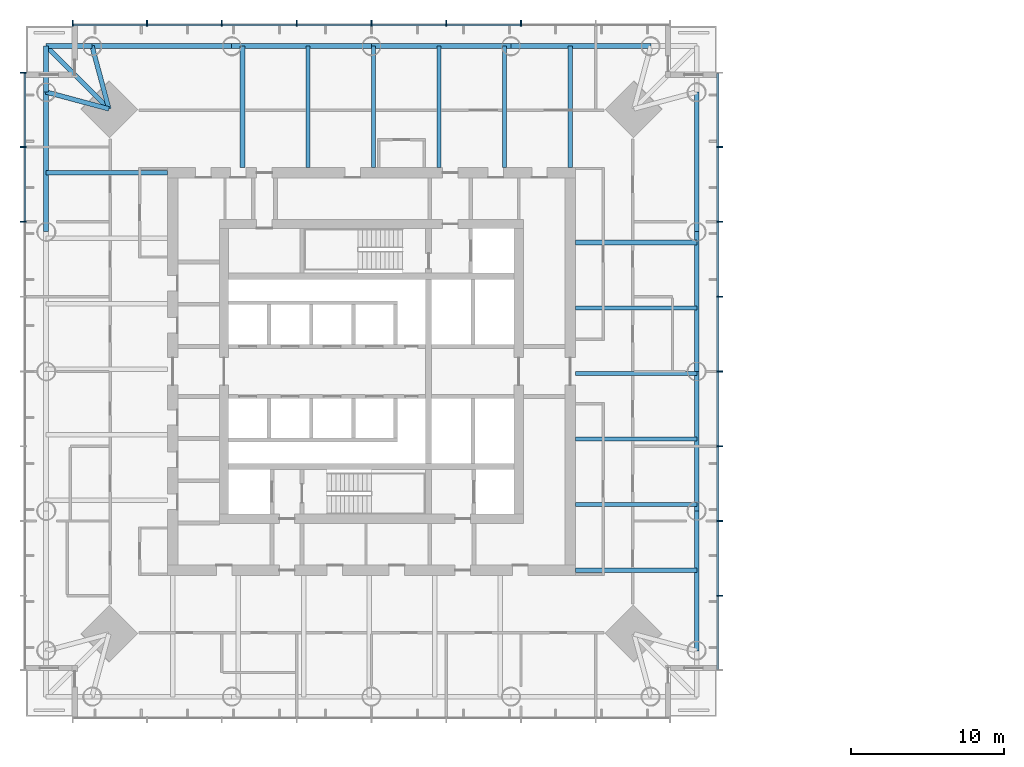
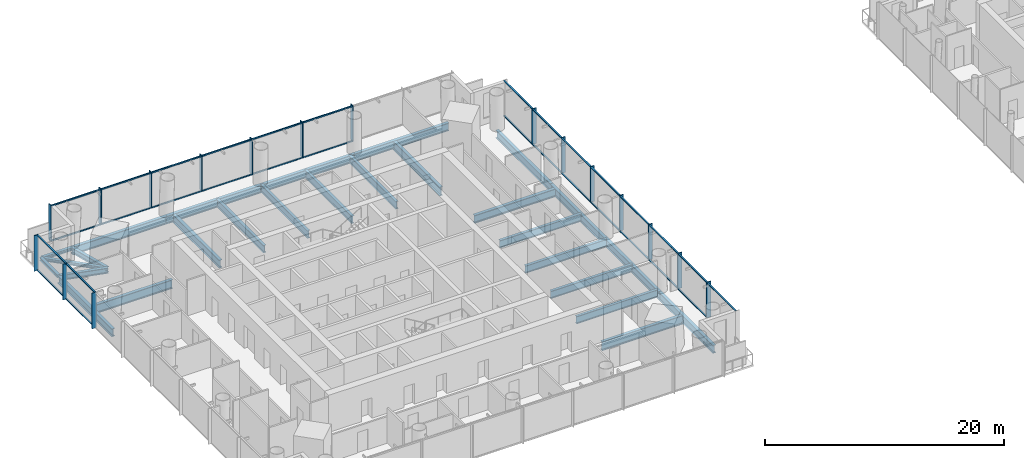
# One storey, part 3 of 20: 48 members, 27 beams, 3 elements without a shape of their own.
"""IFC4 building model written with IfcOpenShell, lengths in metres."""

from ifc_helpers import new_model, si_unit, direction, frame, origin, origin_2d, place, context, subcontext, project, spatial, rectangle, i_section, extrude, material, material_profile, profile_set, type_object, element, aggregate, save


model = new_model("IFC4")

# Units and contexts
model_context = context("Model", 3, precision=1e-05, world=origin(), true_north=direction((0.0, 1.0)))
body_context = subcontext(model_context, "Body", "Model", "MODEL_VIEW")
ifc_project = project(units=[si_unit("LENGTHUNIT", "METRE"), si_unit("AREAUNIT", "SQUARE_METRE"), si_unit("VOLUMEUNIT", "CUBIC_METRE"), si_unit("PLANEANGLEUNIT", "RADIAN"), si_unit("MASSUNIT", "GRAM", prefix="KILO")], contexts=[model_context])

# Site, building, storey
site_placement = place(None, origin())
site = spatial("IfcSite", under=ifc_project, at=site_placement, CompositionType="ELEMENT")
building_placement = place(site_placement, origin())
building = spatial("IfcBuilding", under=site, at=building_placement, Name="Ostroluk Exchange", CompositionType="ELEMENT")
storey_placement = place(building_placement, frame((0.0, 0.0, 108.39990234375)))
storey = spatial("IfcBuildingStorey", under=building, at=storey_placement, Name="L27", CompositionType="ELEMENT", Elevation=108.39990234375)

# Beams
ifc_material_1 = material(Name="Steel S355", Category="steel")
ifc_material_profile_1 = material_profile(ifc_material_1, i_section(OverallWidth=0.300048828125, OverallDepth=0.300048828125, WebThickness=0.010986328125, FlangeThickness=0.01904296875, FilletRadius=0.027099609375, at=origin_2d()), Name="HEB 300")
ifc_profile_set_1 = profile_set([ifc_material_profile_1], Name="Steel S355")
beam_type_1 = type_object("IfcBeamType", Name="Balcony beam HEB 300", PredefinedType="BEAM", material=ifc_profile_set_1)
for number, where, z_axis, x_axis, name in (
    (1, (26.79296875, 67.20703125, -0.329833984375), (-1.0, 0.0, 0.0), (0.0, -1.0, 0.0), "T1 north balcony beam a"),
    (2, (23.79296875, 64.20703125, -0.329833984375), (0.0, 1.0, 0.0), (-1.0, 0.0, 0.0), "T1 north balcony beam b"),
):
    element("IfcBeam", number, at=place(storey_placement, frame(where, z_axis=z_axis, x_axis=x_axis)), inside=storey, type_object=beam_type_1, Name=name, PredefinedType="BEAM", context=body_context, shape_type="SweptSolid", body=[
        extrude(i_section(OverallWidth=0.300048828125, OverallDepth=0.300048828125, WebThickness=0.010986328125, FlangeThickness=0.01904296875, FilletRadius=0.027099609375, at=origin_2d()), origin(), (0.0, 0.0, 1.0), 3.0),
    ])
beam_placement = place(storey_placement, frame((27.892822265625, 63.107177734375, -0.329833984375), z_axis=(-0.707106781187, 0.707106781187, 0.0), x_axis=(-0.707106781187, -0.707106781187, 0.0)))
element("IfcBeam", 3, at=beam_placement, inside=storey, type_object=beam_type_1, Name="T1 north balcony beam c", PredefinedType="BEAM", context=body_context, shape_type="SweptSolid", body=[
    extrude(i_section(OverallWidth=0.300048828125, OverallDepth=0.300048828125, WebThickness=0.010986328125, FlangeThickness=0.01904296875, FilletRadius=0.027099609375, at=origin_2d()), origin(), (0.0, 0.0, 1.0), 5.798095703125),
])
ifc_material_2 = material(Name="Steel S355", Category="steel")
ifc_material_profile_2 = material_profile(ifc_material_2, i_section(OverallWidth=0.300048828125, OverallDepth=0.550048828125, WebThickness=0.014892578125, FlangeThickness=0.029052734375, FilletRadius=0.027099609375, at=origin_2d()), Name="HEB 550")
ifc_profile_set_2 = profile_set([ifc_material_profile_2], Name="Steel S355")
beam_type_2 = type_object("IfcBeamType", Name="Corner edge beam HEB 550", PredefinedType="SPANDREL", material=ifc_profile_set_2)
for number, where, z_axis, x_axis, name in (
    (4, (27.892822265625, 63.107177734375, -0.454833984375), (-0.259105011038, 0.965849156574, 0.0), (-0.965849156574, -0.259105011038, 0.0), "T1 north corner edge beam a"),
    (5, (27.892822265625, 63.107177734375, -0.454833984375), (-0.965849156574, 0.259105011038, 0.0), (-0.259105011038, -0.965849156574, 0.0), "T1 north corner edge beam b"),
):
    element("IfcBeam", number, at=place(storey_placement, frame(where, z_axis=z_axis, x_axis=x_axis)), inside=storey, type_object=beam_type_2, Name=name, PredefinedType="SPANDREL", context=body_context, shape_type="SweptSolid", body=[
        extrude(i_section(OverallWidth=0.300048828125, OverallDepth=0.550048828125, WebThickness=0.014892578125, FlangeThickness=0.029052734375, FilletRadius=0.027099609375, at=origin_2d()), origin(), (0.0, 0.0, 1.0), 4.244873046875),
    ])
ifc_material_3 = material(Name="Steel S355", Category="steel")
ifc_material_profile_3 = material_profile(ifc_material_3, i_section(OverallWidth=0.302978515625, OverallDepth=0.81396484375, WebThickness=0.02099609375, FlangeThickness=0.0400390625, FilletRadius=0.030029296875, at=origin_2d()), Name="HEM 800")
ifc_profile_set_3 = profile_set([ifc_material_profile_3], Name="Steel S355")
beam_type_3 = type_object("IfcBeamType", Name="Floor beam HEM 800", PredefinedType="BEAM", material=ifc_profile_set_3)
for number, where, z_axis, x_axis, name in (
    (6, (58.300048828125, 54.398193359375, -0.5869140625), (1.0, 0.0, 0.0), (0.0, 1.0, 0.0), "T1 east floor beam 5"),
    (7, (36.601806640625, 59.300048828125, -0.5869140625), (0.0, 1.0, 0.0), (-1.0, 0.0, 0.0), "T1 north floor beam 5"),
):
    element("IfcBeam", number, at=place(storey_placement, frame(where, z_axis=z_axis, x_axis=x_axis)), inside=storey, type_object=beam_type_3, Name=name, PredefinedType="BEAM", context=body_context, shape_type="SweptSolid", body=[
        extrude(i_section(OverallWidth=0.302978515625, OverallDepth=0.81396484375, WebThickness=0.02099609375, FlangeThickness=0.0400390625, FilletRadius=0.030029296875, at=origin_2d()), origin(), (0.0, 0.0, 1.0), 7.906982421875),
    ])
ifc_material_4 = material(Name="Steel S355", Category="steel")
ifc_material_profile_4 = material_profile(ifc_material_4, i_section(OverallWidth=0.26708984375, OverallDepth=0.761962890625, WebThickness=0.014404296875, FlangeThickness=0.021484375, FilletRadius=0.01708984375, at=origin_2d()), Name="IPE 750x173")
ifc_profile_set_4 = profile_set([ifc_material_profile_4], Name="Steel S355")
beam_type_4 = type_object("IfcBeamType", Name="Floor beam IPE 750x173", PredefinedType="BEAM", material=ifc_profile_set_4)
for number, where, z_axis, x_axis, name in (
    (8, (58.300048828125, 37.319580078125, -0.560791015625), (1.0, 0.0, 0.0), (0.0, 1.0, 0.0), "T1 east floor beam 1"),
    (9, (58.300048828125, 41.58935546875, -0.560791015625), (1.0, 0.0, 0.0), (0.0, 1.0, 0.0), "T1 east floor beam 2"),
    (10, (58.300048828125, 45.85888671875, -0.560791015625), (1.0, 0.0, 0.0), (0.0, 1.0, 0.0), "T1 east floor beam 3"),
    (11, (58.300048828125, 50.128662109375, -0.560791015625), (1.0, 0.0, 0.0), (0.0, 1.0, 0.0), "T1 east floor beam 4"),
    (12, (53.680419921875, 59.300048828125, -0.560791015625), (0.0, 1.0, 0.0), (-1.0, 0.0, 0.0), "T1 north floor beam 1"),
    (13, (49.41064453125, 59.300048828125, -0.560791015625), (0.0, 1.0, 0.0), (-1.0, 0.0, 0.0), "T1 north floor beam 2"),
    (14, (45.14111328125, 59.300048828125, -0.560791015625), (0.0, 1.0, 0.0), (-1.0, 0.0, 0.0), "T1 north floor beam 3"),
    (15, (40.871337890625, 59.300048828125, -0.560791015625), (0.0, 1.0, 0.0), (-1.0, 0.0, 0.0), "T1 north floor beam 4"),
):
    element("IfcBeam", number, at=place(storey_placement, frame(where, z_axis=z_axis, x_axis=x_axis)), inside=storey, type_object=beam_type_4, Name=name, PredefinedType="BEAM", context=body_context, shape_type="SweptSolid", body=[
        extrude(i_section(OverallWidth=0.26708984375, OverallDepth=0.761962890625, WebThickness=0.014404296875, FlangeThickness=0.021484375, FilletRadius=0.01708984375, at=origin_2d()), origin(), (0.0, 0.0, 1.0), 7.906982421875),
    ])
ifc_material_5 = material(Name="Steel S355", Category="steel")
ifc_material_profile_5 = material_profile(ifc_material_5, i_section(OverallWidth=0.300048828125, OverallDepth=0.89990234375, WebThickness=0.0185546875, FlangeThickness=0.034912109375, FilletRadius=0.030029296875, at=origin_2d()), Name="HEB 900")
ifc_profile_set_5 = profile_set([ifc_material_profile_5], Name="Steel S355")
beam_type_5 = type_object("IfcBeamType", Name="Girder HEB 900", PredefinedType="BEAM", material=ifc_profile_set_5)
for number, where, z_axis, x_axis, name in (
    (16, (57.949951171875, 59.300048828125, -0.6298828125), (0.0, 1.0, 0.0), (-1.0, 0.0, 0.0), "T1 east girder"),
    (17, (31.699951171875, 58.949951171875, -0.6298828125), (-1.0, 0.0, 0.0), (0.0, -1.0, 0.0), "T1 north girder"),
    (18, (58.300048828125, 33.050048828125, -0.6298828125), (1.0, 0.0, 0.0), (0.0, 1.0, 0.0), "T1 south girder"),
):
    element("IfcBeam", number, at=place(storey_placement, frame(where, z_axis=z_axis, x_axis=x_axis)), inside=storey, type_object=beam_type_5, Name=name, PredefinedType="BEAM", context=body_context, shape_type="SweptSolid", body=[
        extrude(i_section(OverallWidth=0.300048828125, OverallDepth=0.89990234375, WebThickness=0.0185546875, FlangeThickness=0.034912109375, FilletRadius=0.030029296875, at=origin_2d()), origin(), (0.0, 0.0, 1.0), 7.906982421875),
    ])
ifc_material_6 = material(Name="Steel S355", Category="steel")
ifc_material_profile_6 = material_profile(ifc_material_6, i_section(OverallWidth=0.300048828125, OverallDepth=0.800048828125, WebThickness=0.017578125, FlangeThickness=0.032958984375, FilletRadius=0.030029296875, at=origin_2d()), Name="HEB 800")
ifc_profile_set_6 = profile_set([ifc_material_profile_6], Name="Steel S355")
beam_type_6 = type_object("IfcBeamType", Name="Moment-connected edge beam HEB 800", PredefinedType="SPANDREL", material=ifc_profile_set_6)
for number, where, z_axis, x_axis, name in (
    (19, (66.20703125, 27.79296875, -0.579833984375), (0.0, 1.0, 0.0), (-1.0, 0.0, 0.0), "T1 east edge beam 1"),
    (20, (66.20703125, 36.896484375, -0.579833984375), (0.0, 1.0, 0.0), (-1.0, 0.0, 0.0), "T1 east edge beam 2"),
    (21, (66.20703125, 46.0, -0.579833984375), (0.0, 1.0, 0.0), (-1.0, 0.0, 0.0), "T1 east edge beam 3"),
    (22, (66.20703125, 55.103515625, -0.579833984375), (0.0, 1.0, 0.0), (-1.0, 0.0, 0.0), "T1 east edge beam 4"),
    (23, (63.20703125, 67.20703125, -0.579833984375), (-1.0, 0.0, 0.0), (0.0, -1.0, 0.0), "T1 north edge beam 1"),
    (24, (54.103515625, 67.20703125, -0.579833984375), (-1.0, 0.0, 0.0), (0.0, -1.0, 0.0), "T1 north edge beam 2"),
    (25, (45.0, 67.20703125, -0.579833984375), (-1.0, 0.0, 0.0), (0.0, -1.0, 0.0), "T1 north edge beam 3"),
    (26, (35.896484375, 67.20703125, -0.579833984375), (-1.0, 0.0, 0.0), (0.0, -1.0, 0.0), "T1 north edge beam 4"),
    (27, (23.79296875, 64.20703125, -0.579833984375), (0.0, -1.0, 0.0), (1.0, 0.0, 0.0), "T1 west edge beam 1"),
):
    element("IfcBeam", number, at=place(storey_placement, frame(where, z_axis=z_axis, x_axis=x_axis)), inside=storey, type_object=beam_type_6, Name=name, PredefinedType="SPANDREL", context=body_context, shape_type="SweptSolid", body=[
        extrude(i_section(OverallWidth=0.300048828125, OverallDepth=0.800048828125, WebThickness=0.017578125, FlangeThickness=0.032958984375, FilletRadius=0.030029296875, at=origin_2d()), origin(), (0.0, 0.0, 1.0), 9.103515625),
    ])

# Curtain wall, members
ifc_material_7 = material(Name="Laminated clear glass", Category="glass")
curtain_wall_type = type_object("IfcCurtainWallType", Name="Office tower facade", PredefinedType="USERDEFINED", material=ifc_material_7)
curtain_wall_1_placement = place(storey_placement, origin())
curtain_wall_1 = element("IfcCurtainWall", 28, at=curtain_wall_1_placement, inside=storey, type_object=curtain_wall_type, Name="Office tower east facade L27", ObjectType="UNITISED CURTAIN WALL", PredefinedType="USERDEFINED")
ifc_material_8 = material(Name="Aluminium mullion", Category="aluminium")
ifc_material_profile_7 = material_profile(ifc_material_8, rectangle(XDim=0.14990234375, YDim=0.080078125, at=origin_2d()), Name="Sill transom 80 x 150")
ifc_profile_set_7 = profile_set([ifc_material_profile_7], Name="Aluminium mullion")
member_type_1 = type_object("IfcMemberType", Name="Sill transom 80 x 150", PredefinedType="USERDEFINED", material=ifc_profile_set_7)
member_1_placement = place(storey_placement, frame((67.574951171875, 26.580078125, 3.610107421875), z_axis=(0.0, 1.0, 0.0), x_axis=(-1.0, 0.0, 0.0)))
member_1 = element("IfcMember", 29, at=member_1_placement, type_object=member_type_1, Name="CW-O1 transom 1.2", ObjectType="TRANSOM", PredefinedType="USERDEFINED", context=body_context, shape_type="SweptSolid", body=[
    extrude(rectangle(XDim=0.14990234375, YDim=0.080078125, at=origin_2d()), origin(), (0.0, 0.0, 1.0), 4.7548828125),
])
member_2_placement = place(storey_placement, frame((67.574951171875, 31.4150390625, 0.0400390625), z_axis=(0.0, 1.0, 0.0), x_axis=(-1.0, 0.0, 0.0)))
member_2 = element("IfcMember", 30, at=member_2_placement, type_object=member_type_1, Name="CW-O1 transom 2.1", ObjectType="TRANSOM", PredefinedType="USERDEFINED", context=body_context, shape_type="SweptSolid", body=[
    extrude(rectangle(XDim=0.14990234375, YDim=0.080078125, at=origin_2d()), origin(), (0.0, 0.0, 1.0), 4.794921875),
])
member_3_placement = place(storey_placement, frame((67.574951171875, 31.4150390625, 3.610107421875), z_axis=(0.0, 1.0, 0.0), x_axis=(-1.0, 0.0, 0.0)))
member_3 = element("IfcMember", 31, at=member_3_placement, type_object=member_type_1, Name="CW-O1 transom 2.2", ObjectType="TRANSOM", PredefinedType="USERDEFINED", context=body_context, shape_type="SweptSolid", body=[
    extrude(rectangle(XDim=0.14990234375, YDim=0.080078125, at=origin_2d()), origin(), (0.0, 0.0, 1.0), 4.794921875),
])
member_4_placement = place(storey_placement, frame((67.574951171875, 36.2900390625, 0.0400390625), z_axis=(0.0, 1.0, 0.0), x_axis=(-1.0, 0.0, 0.0)))
member_4 = element("IfcMember", 32, at=member_4_placement, type_object=member_type_1, Name="CW-O1 transom 3.1", ObjectType="TRANSOM", PredefinedType="USERDEFINED", context=body_context, shape_type="SweptSolid", body=[
    extrude(rectangle(XDim=0.14990234375, YDim=0.080078125, at=origin_2d()), origin(), (0.0, 0.0, 1.0), 4.794921875),
])
member_5_placement = place(storey_placement, frame((67.574951171875, 36.2900390625, 3.610107421875), z_axis=(0.0, 1.0, 0.0), x_axis=(-1.0, 0.0, 0.0)))
member_5 = element("IfcMember", 33, at=member_5_placement, type_object=member_type_1, Name="CW-O1 transom 3.2", ObjectType="TRANSOM", PredefinedType="USERDEFINED", context=body_context, shape_type="SweptSolid", body=[
    extrude(rectangle(XDim=0.14990234375, YDim=0.080078125, at=origin_2d()), origin(), (0.0, 0.0, 1.0), 4.794921875),
])
member_6_placement = place(storey_placement, frame((67.574951171875, 41.1650390625, 0.0400390625), z_axis=(0.0, 1.0, 0.0), x_axis=(-1.0, 0.0, 0.0)))
member_6 = element("IfcMember", 34, at=member_6_placement, type_object=member_type_1, Name="CW-O1 transom 4.1", ObjectType="TRANSOM", PredefinedType="USERDEFINED", context=body_context, shape_type="SweptSolid", body=[
    extrude(rectangle(XDim=0.14990234375, YDim=0.080078125, at=origin_2d()), origin(), (0.0, 0.0, 1.0), 4.794921875),
])
member_7_placement = place(storey_placement, frame((67.574951171875, 41.1650390625, 3.610107421875), z_axis=(0.0, 1.0, 0.0), x_axis=(-1.0, 0.0, 0.0)))
member_7 = element("IfcMember", 35, at=member_7_placement, type_object=member_type_1, Name="CW-O1 transom 4.2", ObjectType="TRANSOM", PredefinedType="USERDEFINED", context=body_context, shape_type="SweptSolid", body=[
    extrude(rectangle(XDim=0.14990234375, YDim=0.080078125, at=origin_2d()), origin(), (0.0, 0.0, 1.0), 4.794921875),
])
member_8_placement = place(storey_placement, frame((67.574951171875, 46.0400390625, 0.0400390625), z_axis=(0.0, 1.0, 0.0), x_axis=(-1.0, 0.0, 0.0)))
member_8 = element("IfcMember", 36, at=member_8_placement, type_object=member_type_1, Name="CW-O1 transom 5.1", ObjectType="TRANSOM", PredefinedType="USERDEFINED", context=body_context, shape_type="SweptSolid", body=[
    extrude(rectangle(XDim=0.14990234375, YDim=0.080078125, at=origin_2d()), origin(), (0.0, 0.0, 1.0), 4.794921875),
])
member_9_placement = place(storey_placement, frame((67.574951171875, 46.0400390625, 3.610107421875), z_axis=(0.0, 1.0, 0.0), x_axis=(-1.0, 0.0, 0.0)))
member_9 = element("IfcMember", 37, at=member_9_placement, type_object=member_type_1, Name="CW-O1 transom 5.2", ObjectType="TRANSOM", PredefinedType="USERDEFINED", context=body_context, shape_type="SweptSolid", body=[
    extrude(rectangle(XDim=0.14990234375, YDim=0.080078125, at=origin_2d()), origin(), (0.0, 0.0, 1.0), 4.794921875),
])
member_10_placement = place(storey_placement, frame((67.574951171875, 50.9150390625, 0.0400390625), z_axis=(0.0, 1.0, 0.0), x_axis=(-1.0, 0.0, 0.0)))
member_10 = element("IfcMember", 38, at=member_10_placement, type_object=member_type_1, Name="CW-O1 transom 6.1", ObjectType="TRANSOM", PredefinedType="USERDEFINED", context=body_context, shape_type="SweptSolid", body=[
    extrude(rectangle(XDim=0.14990234375, YDim=0.080078125, at=origin_2d()), origin(), (0.0, 0.0, 1.0), 4.794921875),
])
member_11_placement = place(storey_placement, frame((67.574951171875, 50.9150390625, 3.610107421875), z_axis=(0.0, 1.0, 0.0), x_axis=(-1.0, 0.0, 0.0)))
member_11 = element("IfcMember", 39, at=member_11_placement, type_object=member_type_1, Name="CW-O1 transom 6.2", ObjectType="TRANSOM", PredefinedType="USERDEFINED", context=body_context, shape_type="SweptSolid", body=[
    extrude(rectangle(XDim=0.14990234375, YDim=0.080078125, at=origin_2d()), origin(), (0.0, 0.0, 1.0), 4.794921875),
])
member_12_placement = place(storey_placement, frame((67.574951171875, 55.7900390625, 0.0400390625), z_axis=(0.0, 1.0, 0.0), x_axis=(-1.0, 0.0, 0.0)))
member_12 = element("IfcMember", 40, at=member_12_placement, type_object=member_type_1, Name="CW-O1 transom 7.1", ObjectType="TRANSOM", PredefinedType="USERDEFINED", context=body_context, shape_type="SweptSolid", body=[
    extrude(rectangle(XDim=0.14990234375, YDim=0.080078125, at=origin_2d()), origin(), (0.0, 0.0, 1.0), 4.794921875),
])
member_13_placement = place(storey_placement, frame((67.574951171875, 55.7900390625, 3.610107421875), z_axis=(0.0, 1.0, 0.0), x_axis=(-1.0, 0.0, 0.0)))
member_13 = element("IfcMember", 41, at=member_13_placement, type_object=member_type_1, Name="CW-O1 transom 7.2", ObjectType="TRANSOM", PredefinedType="USERDEFINED", context=body_context, shape_type="SweptSolid", body=[
    extrude(rectangle(XDim=0.14990234375, YDim=0.080078125, at=origin_2d()), origin(), (0.0, 0.0, 1.0), 4.794921875),
])
member_14_placement = place(storey_placement, frame((67.574951171875, 60.6650390625, 0.0400390625), z_axis=(0.0, 1.0, 0.0), x_axis=(-1.0, 0.0, 0.0)))
member_14 = element("IfcMember", 42, at=member_14_placement, type_object=member_type_1, Name="CW-O1 transom 8.1", ObjectType="TRANSOM", PredefinedType="USERDEFINED", context=body_context, shape_type="SweptSolid", body=[
    extrude(rectangle(XDim=0.14990234375, YDim=0.080078125, at=origin_2d()), origin(), (0.0, 0.0, 1.0), 4.7548828125),
])
member_15_placement = place(storey_placement, frame((67.574951171875, 60.6650390625, 3.610107421875), z_axis=(0.0, 1.0, 0.0), x_axis=(-1.0, 0.0, 0.0)))
member_15 = element("IfcMember", 43, at=member_15_placement, type_object=member_type_1, Name="CW-O1 transom 8.2", ObjectType="TRANSOM", PredefinedType="USERDEFINED", context=body_context, shape_type="SweptSolid", body=[
    extrude(rectangle(XDim=0.14990234375, YDim=0.080078125, at=origin_2d()), origin(), (0.0, 0.0, 1.0), 4.7548828125),
])

curtain_wall_2_placement = place(storey_placement, origin())
curtain_wall_2 = element("IfcCurtainWall", 44, at=curtain_wall_2_placement, inside=storey, type_object=curtain_wall_type, Name="Office tower north facade L27", ObjectType="UNITISED CURTAIN WALL", PredefinedType="USERDEFINED")
member_16_placement = place(storey_placement, frame((54.7099609375, 68.574951171875, 0.0400390625), z_axis=(-1.0, 0.0, 0.0), x_axis=(0.0, -1.0, 0.0)))
member_16 = element("IfcMember", 45, at=member_16_placement, type_object=member_type_1, Name="CW-O1 transom 3.1", ObjectType="TRANSOM", PredefinedType="USERDEFINED", context=body_context, shape_type="SweptSolid", body=[
    extrude(rectangle(XDim=0.14990234375, YDim=0.080078125, at=origin_2d()), origin(), (0.0, 0.0, 1.0), 4.794921875),
])
member_17_placement = place(storey_placement, frame((54.7099609375, 68.574951171875, 3.610107421875), z_axis=(-1.0, 0.0, 0.0), x_axis=(0.0, -1.0, 0.0)))
member_17 = element("IfcMember", 46, at=member_17_placement, type_object=member_type_1, Name="CW-O1 transom 3.2", ObjectType="TRANSOM", PredefinedType="USERDEFINED", context=body_context, shape_type="SweptSolid", body=[
    extrude(rectangle(XDim=0.14990234375, YDim=0.080078125, at=origin_2d()), origin(), (0.0, 0.0, 1.0), 4.794921875),
])
member_18_placement = place(storey_placement, frame((49.8349609375, 68.574951171875, 0.0400390625), z_axis=(-1.0, 0.0, 0.0), x_axis=(0.0, -1.0, 0.0)))
member_18 = element("IfcMember", 47, at=member_18_placement, type_object=member_type_1, Name="CW-O1 transom 4.1", ObjectType="TRANSOM", PredefinedType="USERDEFINED", context=body_context, shape_type="SweptSolid", body=[
    extrude(rectangle(XDim=0.14990234375, YDim=0.080078125, at=origin_2d()), origin(), (0.0, 0.0, 1.0), 4.794921875),
])
member_19_placement = place(storey_placement, frame((49.8349609375, 68.574951171875, 3.610107421875), z_axis=(-1.0, 0.0, 0.0), x_axis=(0.0, -1.0, 0.0)))
member_19 = element("IfcMember", 48, at=member_19_placement, type_object=member_type_1, Name="CW-O1 transom 4.2", ObjectType="TRANSOM", PredefinedType="USERDEFINED", context=body_context, shape_type="SweptSolid", body=[
    extrude(rectangle(XDim=0.14990234375, YDim=0.080078125, at=origin_2d()), origin(), (0.0, 0.0, 1.0), 4.794921875),
])
member_20_placement = place(storey_placement, frame((44.9599609375, 68.574951171875, 0.0400390625), z_axis=(-1.0, 0.0, 0.0), x_axis=(0.0, -1.0, 0.0)))
member_20 = element("IfcMember", 49, at=member_20_placement, type_object=member_type_1, Name="CW-O1 transom 5.1", ObjectType="TRANSOM", PredefinedType="USERDEFINED", context=body_context, shape_type="SweptSolid", body=[
    extrude(rectangle(XDim=0.14990234375, YDim=0.080078125, at=origin_2d()), origin(), (0.0, 0.0, 1.0), 4.794921875),
])
member_21_placement = place(storey_placement, frame((44.9599609375, 68.574951171875, 3.610107421875), z_axis=(-1.0, 0.0, 0.0), x_axis=(0.0, -1.0, 0.0)))
member_21 = element("IfcMember", 50, at=member_21_placement, type_object=member_type_1, Name="CW-O1 transom 5.2", ObjectType="TRANSOM", PredefinedType="USERDEFINED", context=body_context, shape_type="SweptSolid", body=[
    extrude(rectangle(XDim=0.14990234375, YDim=0.080078125, at=origin_2d()), origin(), (0.0, 0.0, 1.0), 4.794921875),
])
member_22_placement = place(storey_placement, frame((40.0849609375, 68.574951171875, 0.0400390625), z_axis=(-1.0, 0.0, 0.0), x_axis=(0.0, -1.0, 0.0)))
member_22 = element("IfcMember", 51, at=member_22_placement, type_object=member_type_1, Name="CW-O1 transom 6.1", ObjectType="TRANSOM", PredefinedType="USERDEFINED", context=body_context, shape_type="SweptSolid", body=[
    extrude(rectangle(XDim=0.14990234375, YDim=0.080078125, at=origin_2d()), origin(), (0.0, 0.0, 1.0), 4.794921875),
])
member_23_placement = place(storey_placement, frame((40.0849609375, 68.574951171875, 3.610107421875), z_axis=(-1.0, 0.0, 0.0), x_axis=(0.0, -1.0, 0.0)))
member_23 = element("IfcMember", 52, at=member_23_placement, type_object=member_type_1, Name="CW-O1 transom 6.2", ObjectType="TRANSOM", PredefinedType="USERDEFINED", context=body_context, shape_type="SweptSolid", body=[
    extrude(rectangle(XDim=0.14990234375, YDim=0.080078125, at=origin_2d()), origin(), (0.0, 0.0, 1.0), 4.794921875),
])
member_24_placement = place(storey_placement, frame((35.2099609375, 68.574951171875, 0.0400390625), z_axis=(-1.0, 0.0, 0.0), x_axis=(0.0, -1.0, 0.0)))
member_24 = element("IfcMember", 53, at=member_24_placement, type_object=member_type_1, Name="CW-O1 transom 7.1", ObjectType="TRANSOM", PredefinedType="USERDEFINED", context=body_context, shape_type="SweptSolid", body=[
    extrude(rectangle(XDim=0.14990234375, YDim=0.080078125, at=origin_2d()), origin(), (0.0, 0.0, 1.0), 4.794921875),
])
member_25_placement = place(storey_placement, frame((35.2099609375, 68.574951171875, 3.610107421875), z_axis=(-1.0, 0.0, 0.0), x_axis=(0.0, -1.0, 0.0)))
member_25 = element("IfcMember", 54, at=member_25_placement, type_object=member_type_1, Name="CW-O1 transom 7.2", ObjectType="TRANSOM", PredefinedType="USERDEFINED", context=body_context, shape_type="SweptSolid", body=[
    extrude(rectangle(XDim=0.14990234375, YDim=0.080078125, at=origin_2d()), origin(), (0.0, 0.0, 1.0), 4.794921875),
])
member_26_placement = place(storey_placement, frame((30.3349609375, 68.574951171875, 0.0400390625), z_axis=(-1.0, 0.0, 0.0), x_axis=(0.0, -1.0, 0.0)))
member_26 = element("IfcMember", 55, at=member_26_placement, type_object=member_type_1, Name="CW-O1 transom 8.1", ObjectType="TRANSOM", PredefinedType="USERDEFINED", context=body_context, shape_type="SweptSolid", body=[
    extrude(rectangle(XDim=0.14990234375, YDim=0.080078125, at=origin_2d()), origin(), (0.0, 0.0, 1.0), 4.7548828125),
])
member_27_placement = place(storey_placement, frame((30.3349609375, 68.574951171875, 3.610107421875), z_axis=(-1.0, 0.0, 0.0), x_axis=(0.0, -1.0, 0.0)))
member_27 = element("IfcMember", 56, at=member_27_placement, type_object=member_type_1, Name="CW-O1 transom 8.2", ObjectType="TRANSOM", PredefinedType="USERDEFINED", context=body_context, shape_type="SweptSolid", body=[
    extrude(rectangle(XDim=0.14990234375, YDim=0.080078125, at=origin_2d()), origin(), (0.0, 0.0, 1.0), 4.7548828125),
])

curtain_wall_3_placement = place(storey_placement, origin())
curtain_wall_3 = element("IfcCurtainWall", 57, at=curtain_wall_3_placement, inside=storey, type_object=curtain_wall_type, Name="Office tower west facade L27", ObjectType="UNITISED CURTAIN WALL", PredefinedType="USERDEFINED")
member_28_placement = place(storey_placement, frame((22.425048828125, 65.419921875, 0.0400390625), z_axis=(0.0, -1.0, 0.0), x_axis=(1.0, 0.0, 0.0)))
member_28 = element("IfcMember", 58, at=member_28_placement, type_object=member_type_1, Name="CW-O1 transom 1.1", ObjectType="TRANSOM", PredefinedType="USERDEFINED", context=body_context, shape_type="SweptSolid", body=[
    extrude(rectangle(XDim=0.14990234375, YDim=0.080078125, at=origin_2d()), origin(), (0.0, 0.0, 1.0), 4.7548828125),
])
member_29_placement = place(storey_placement, frame((22.425048828125, 65.419921875, 3.610107421875), z_axis=(0.0, -1.0, 0.0), x_axis=(1.0, 0.0, 0.0)))
member_29 = element("IfcMember", 59, at=member_29_placement, type_object=member_type_1, Name="CW-O1 transom 1.2", ObjectType="TRANSOM", PredefinedType="USERDEFINED", context=body_context, shape_type="SweptSolid", body=[
    extrude(rectangle(XDim=0.14990234375, YDim=0.080078125, at=origin_2d()), origin(), (0.0, 0.0, 1.0), 4.7548828125),
])
member_30_placement = place(storey_placement, frame((22.425048828125, 60.5849609375, 0.0400390625), z_axis=(0.0, -1.0, 0.0), x_axis=(1.0, 0.0, 0.0)))
member_30 = element("IfcMember", 60, at=member_30_placement, type_object=member_type_1, Name="CW-O1 transom 2.1", ObjectType="TRANSOM", PredefinedType="USERDEFINED", context=body_context, shape_type="SweptSolid", body=[
    extrude(rectangle(XDim=0.14990234375, YDim=0.080078125, at=origin_2d()), origin(), (0.0, 0.0, 1.0), 4.794921875),
])
member_31_placement = place(storey_placement, frame((22.425048828125, 60.5849609375, 3.610107421875), z_axis=(0.0, -1.0, 0.0), x_axis=(1.0, 0.0, 0.0)))
member_31 = element("IfcMember", 61, at=member_31_placement, type_object=member_type_1, Name="CW-O1 transom 2.2", ObjectType="TRANSOM", PredefinedType="USERDEFINED", context=body_context, shape_type="SweptSolid", body=[
    extrude(rectangle(XDim=0.14990234375, YDim=0.080078125, at=origin_2d()), origin(), (0.0, 0.0, 1.0), 4.794921875),
])

# Member
ifc_material_9 = material(Name="Aluminium mullion with limestone facing", Category="masonry")
ifc_material_profile_8 = material_profile(ifc_material_9, rectangle(XDim=0.39990234375, YDim=0.080078125, at=origin_2d()), Name="Tracery mullion 80 x 400")
ifc_profile_set_8 = profile_set([ifc_material_profile_8], Name="Aluminium mullion with limestone facing")
member_type_2 = type_object("IfcMemberType", Name="Tracery mullion 80 x 400", PredefinedType="MULLION", material=ifc_profile_set_8)
member_32_placement = place(storey_placement, frame((67.699951171875, 31.375, 0.0), z_axis=(0.0, 0.0, 1.0), x_axis=(-1.0, 0.0, 0.0)))
member_32 = element("IfcMember", 62, at=member_32_placement, type_object=member_type_2, Name="CW-O1 mullion 2", PredefinedType="MULLION", context=body_context, shape_type="SweptSolid", body=[
    extrude(rectangle(XDim=0.39990234375, YDim=0.080078125, at=origin_2d()), origin(), (0.0, 0.0, 1.0), 3.650146484375),
])

member_33_placement = place(storey_placement, frame((67.699951171875, 36.25, 0.0), z_axis=(0.0, 0.0, 1.0), x_axis=(-1.0, 0.0, 0.0)))
member_33 = element("IfcMember", 63, at=member_33_placement, type_object=member_type_2, Name="CW-O1 mullion 3", PredefinedType="MULLION", context=body_context, shape_type="SweptSolid", body=[
    extrude(rectangle(XDim=0.39990234375, YDim=0.080078125, at=origin_2d()), origin(), (0.0, 0.0, 1.0), 3.650146484375),
])

member_34_placement = place(storey_placement, frame((67.699951171875, 41.125, 0.0), z_axis=(0.0, 0.0, 1.0), x_axis=(-1.0, 0.0, 0.0)))
member_34 = element("IfcMember", 64, at=member_34_placement, type_object=member_type_2, Name="CW-O1 mullion 4", PredefinedType="MULLION", context=body_context, shape_type="SweptSolid", body=[
    extrude(rectangle(XDim=0.39990234375, YDim=0.080078125, at=origin_2d()), origin(), (0.0, 0.0, 1.0), 3.650146484375),
])

member_35_placement = place(storey_placement, frame((67.699951171875, 46.0, 0.0), z_axis=(0.0, 0.0, 1.0), x_axis=(-1.0, 0.0, 0.0)))
member_35 = element("IfcMember", 65, at=member_35_placement, type_object=member_type_2, Name="CW-O1 mullion 5", PredefinedType="MULLION", context=body_context, shape_type="SweptSolid", body=[
    extrude(rectangle(XDim=0.39990234375, YDim=0.080078125, at=origin_2d()), origin(), (0.0, 0.0, 1.0), 3.650146484375),
])

member_36_placement = place(storey_placement, frame((67.699951171875, 50.875, 0.0), z_axis=(0.0, 0.0, 1.0), x_axis=(-1.0, 0.0, 0.0)))
member_36 = element("IfcMember", 66, at=member_36_placement, type_object=member_type_2, Name="CW-O1 mullion 6", PredefinedType="MULLION", context=body_context, shape_type="SweptSolid", body=[
    extrude(rectangle(XDim=0.39990234375, YDim=0.080078125, at=origin_2d()), origin(), (0.0, 0.0, 1.0), 3.650146484375),
])

member_37_placement = place(storey_placement, frame((67.699951171875, 55.75, 0.0), z_axis=(0.0, 0.0, 1.0), x_axis=(-1.0, 0.0, 0.0)))
member_37 = element("IfcMember", 67, at=member_37_placement, type_object=member_type_2, Name="CW-O1 mullion 7", PredefinedType="MULLION", context=body_context, shape_type="SweptSolid", body=[
    extrude(rectangle(XDim=0.39990234375, YDim=0.080078125, at=origin_2d()), origin(), (0.0, 0.0, 1.0), 3.650146484375),
])

member_38_placement = place(storey_placement, frame((67.699951171875, 60.625, 0.0), z_axis=(0.0, 0.0, 1.0), x_axis=(-1.0, 0.0, 0.0)))
member_38 = element("IfcMember", 68, at=member_38_placement, type_object=member_type_2, Name="CW-O1 mullion 8", PredefinedType="MULLION", context=body_context, shape_type="SweptSolid", body=[
    extrude(rectangle(XDim=0.39990234375, YDim=0.080078125, at=origin_2d()), origin(), (0.0, 0.0, 1.0), 3.650146484375),
])

aggregate(curtain_wall_1, [member_32, member_33, member_34, member_35, member_36, member_37, member_38, member_1, member_2, member_3, member_4, member_5, member_6, member_7, member_8, member_9, member_10, member_11, member_12, member_13, member_14, member_15])

member_39_placement = place(storey_placement, frame((54.75, 68.699951171875, 0.0), z_axis=(0.0, 0.0, 1.0), x_axis=(0.0, -1.0, 0.0)))
member_39 = element("IfcMember", 69, at=member_39_placement, type_object=member_type_2, Name="CW-O1 mullion 3", PredefinedType="MULLION", context=body_context, shape_type="SweptSolid", body=[
    extrude(rectangle(XDim=0.39990234375, YDim=0.080078125, at=origin_2d()), origin(), (0.0, 0.0, 1.0), 3.650146484375),
])

member_40_placement = place(storey_placement, frame((49.875, 68.699951171875, 0.0), z_axis=(0.0, 0.0, 1.0), x_axis=(0.0, -1.0, 0.0)))
member_40 = element("IfcMember", 70, at=member_40_placement, type_object=member_type_2, Name="CW-O1 mullion 4", PredefinedType="MULLION", context=body_context, shape_type="SweptSolid", body=[
    extrude(rectangle(XDim=0.39990234375, YDim=0.080078125, at=origin_2d()), origin(), (0.0, 0.0, 1.0), 3.650146484375),
])

member_41_placement = place(storey_placement, frame((45.0, 68.699951171875, 0.0), z_axis=(0.0, 0.0, 1.0), x_axis=(0.0, -1.0, 0.0)))
member_41 = element("IfcMember", 71, at=member_41_placement, type_object=member_type_2, Name="CW-O1 mullion 5", PredefinedType="MULLION", context=body_context, shape_type="SweptSolid", body=[
    extrude(rectangle(XDim=0.39990234375, YDim=0.080078125, at=origin_2d()), origin(), (0.0, 0.0, 1.0), 3.650146484375),
])

member_42_placement = place(storey_placement, frame((40.125, 68.699951171875, 0.0), z_axis=(0.0, 0.0, 1.0), x_axis=(0.0, -1.0, 0.0)))
member_42 = element("IfcMember", 72, at=member_42_placement, type_object=member_type_2, Name="CW-O1 mullion 6", PredefinedType="MULLION", context=body_context, shape_type="SweptSolid", body=[
    extrude(rectangle(XDim=0.39990234375, YDim=0.080078125, at=origin_2d()), origin(), (0.0, 0.0, 1.0), 3.650146484375),
])

member_43_placement = place(storey_placement, frame((35.25, 68.699951171875, 0.0), z_axis=(0.0, 0.0, 1.0), x_axis=(0.0, -1.0, 0.0)))
member_43 = element("IfcMember", 73, at=member_43_placement, type_object=member_type_2, Name="CW-O1 mullion 7", PredefinedType="MULLION", context=body_context, shape_type="SweptSolid", body=[
    extrude(rectangle(XDim=0.39990234375, YDim=0.080078125, at=origin_2d()), origin(), (0.0, 0.0, 1.0), 3.650146484375),
])

member_44_placement = place(storey_placement, frame((30.375, 68.699951171875, 0.0), z_axis=(0.0, 0.0, 1.0), x_axis=(0.0, -1.0, 0.0)))
member_44 = element("IfcMember", 74, at=member_44_placement, type_object=member_type_2, Name="CW-O1 mullion 8", PredefinedType="MULLION", context=body_context, shape_type="SweptSolid", body=[
    extrude(rectangle(XDim=0.39990234375, YDim=0.080078125, at=origin_2d()), origin(), (0.0, 0.0, 1.0), 3.650146484375),
])

member_45_placement = place(storey_placement, frame((25.5400390625, 68.699951171875, 0.0), z_axis=(0.0, 0.0, 1.0), x_axis=(0.0, -1.0, 0.0)))
member_45 = element("IfcMember", 75, at=member_45_placement, type_object=member_type_2, Name="CW-O1 mullion 9", PredefinedType="MULLION", context=body_context, shape_type="SweptSolid", body=[
    extrude(rectangle(XDim=0.39990234375, YDim=0.080078125, at=origin_2d()), origin(), (0.0, 0.0, 1.0), 3.650146484375),
])

aggregate(curtain_wall_2, [member_39, member_40, member_41, member_42, member_43, member_44, member_45, member_16, member_17, member_18, member_19, member_20, member_21, member_22, member_23, member_24, member_25, member_26, member_27])

member_46_placement = place(storey_placement, frame((22.300048828125, 65.4599609375, 0.0), z_axis=(0.0, 0.0, 1.0), x_axis=(1.0, 0.0, 0.0)))
member_46 = element("IfcMember", 76, at=member_46_placement, type_object=member_type_2, Name="CW-O1 mullion 1", PredefinedType="MULLION", context=body_context, shape_type="SweptSolid", body=[
    extrude(rectangle(XDim=0.39990234375, YDim=0.080078125, at=origin_2d()), origin(), (0.0, 0.0, 1.0), 3.650146484375),
])

member_47_placement = place(storey_placement, frame((22.300048828125, 60.625, 0.0), z_axis=(0.0, 0.0, 1.0), x_axis=(1.0, 0.0, 0.0)))
member_47 = element("IfcMember", 77, at=member_47_placement, type_object=member_type_2, Name="CW-O1 mullion 2", PredefinedType="MULLION", context=body_context, shape_type="SweptSolid", body=[
    extrude(rectangle(XDim=0.39990234375, YDim=0.080078125, at=origin_2d()), origin(), (0.0, 0.0, 1.0), 3.650146484375),
])

member_48_placement = place(storey_placement, frame((22.300048828125, 55.75, 0.0), z_axis=(0.0, 0.0, 1.0), x_axis=(1.0, 0.0, 0.0)))
member_48 = element("IfcMember", 78, at=member_48_placement, type_object=member_type_2, Name="CW-O1 mullion 3", PredefinedType="MULLION", context=body_context, shape_type="SweptSolid", body=[
    extrude(rectangle(XDim=0.39990234375, YDim=0.080078125, at=origin_2d()), origin(), (0.0, 0.0, 1.0), 3.650146484375),
])

aggregate(curtain_wall_3, [member_46, member_47, member_48, member_28, member_29, member_30, member_31])

save(model, "model.ifc")
